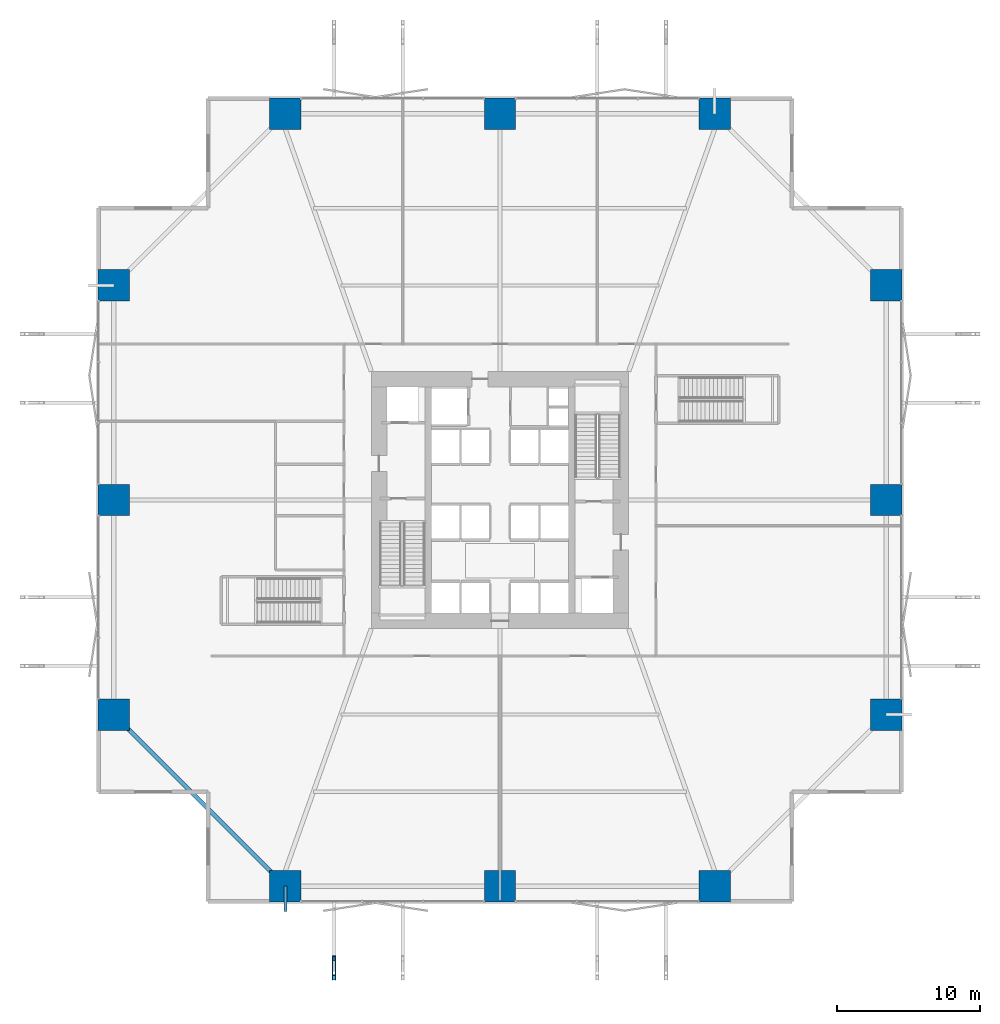
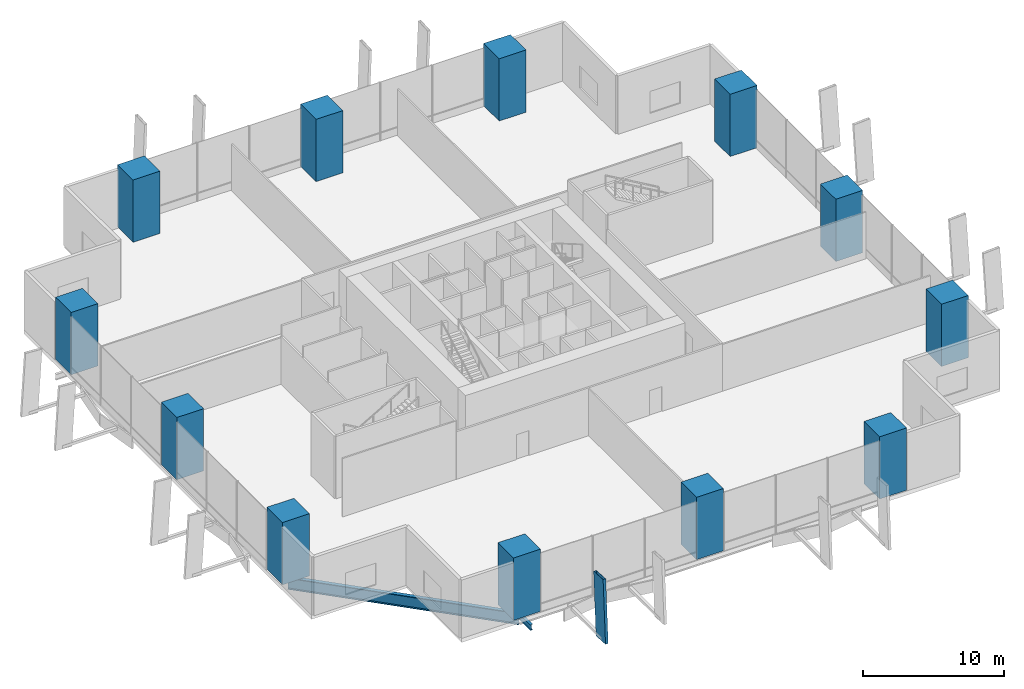
# One storey, part 1 of 24: 12 columns, 2 beams, 1 member.
"""IFC4 building model written with IfcOpenShell, lengths in metres."""

from ifc_helpers import new_model, si_unit, direction, frame, origin, origin_2d, place, context, subcontext, project, spatial, rectangle, hollow_rectangle, i_section, extrude, material, material_profile, profile_set, type_object, element, save


model = new_model("IFC4")

# Units and contexts
model_context = context("Model", 3, precision=1e-05, world=origin(), true_north=direction((0.0, 1.0)))
body_context = subcontext(model_context, "Body", "Model", "MODEL_VIEW")
ifc_project = project(units=[si_unit("LENGTHUNIT", "METRE"), si_unit("AREAUNIT", "SQUARE_METRE"), si_unit("VOLUMEUNIT", "CUBIC_METRE"), si_unit("PLANEANGLEUNIT", "RADIAN"), si_unit("MASSUNIT", "GRAM", prefix="KILO")], contexts=[model_context])

# Site, building, storey
site_placement = place(None, origin())
site = spatial("IfcSite", under=ifc_project, at=site_placement, CompositionType="ELEMENT")
building_placement = place(site_placement, origin())
building = spatial("IfcBuilding", under=site, at=building_placement, Name="Belovzor Exchange Tower", CompositionType="ELEMENT")
storey_placement = place(building_placement, frame((0.0, 0.0, 8.39990234375)))
storey = spatial("IfcBuildingStorey", under=building, at=storey_placement, Name="L02", CompositionType="ELEMENT", Elevation=8.39990234375)

# Columns
ifc_material_1 = material(Name="Concrete C60/75", Category="concrete")
ifc_material_profile_1 = material_profile(ifc_material_1, rectangle(XDim=2.199951171875, YDim=2.199951171875, at=origin_2d()))
ifc_profile_set_1 = profile_set([ifc_material_profile_1], Name="Concrete C60/75")
column_type = type_object("IfcColumnType", Name="Sculpted Mega-Pilotis Composite Column 2200x2200", PredefinedType="PILASTER", material=ifc_profile_set_1)
for number, where, z_axis, x_axis, name in (
    (1, (13.800048828125, 1.800048828125, 0.002197265625), (0.0, 0.0, 1.0), (1.0, 0.0, 0.0), "COL-MP220 Sculpted Mega-Pilotis Composite Column 2200x2200"),
    (2, (28.800048828125, 1.800048828125, 0.002197265625), (0.0, 0.0, 1.0), (1.0, 0.0, 0.0), "COL-MP220 Sculpted Mega-Pilotis Composite Column 2200x2200"),
    (3, (43.800048828125, 1.800048828125, 0.002197265625), (0.0, 0.0, 1.0), (1.0, 0.0, 0.0), "COL-MP220 Sculpted Mega-Pilotis Composite Column 2200x2200"),
    (4, (55.800048828125, 13.800048828125, 0.002197265625), (0.0, 0.0, 1.0), (1.0, 0.0, 0.0), "COL-MP220 Sculpted Mega-Pilotis Composite Column 2200x2200"),
    (5, (55.800048828125, 28.800048828125, 0.002197265625), (0.0, 0.0, 1.0), (1.0, 0.0, 0.0), "COL-MP220 Sculpted Mega-Pilotis Composite Column 2200x2200"),
    (6, (55.800048828125, 43.800048828125, 0.002197265625), (0.0, 0.0, 1.0), (1.0, 0.0, 0.0), "COL-MP220 Sculpted Mega-Pilotis Composite Column 2200x2200"),
    (7, (43.800048828125, 55.800048828125, 0.002197265625), (0.0, 0.0, 1.0), (1.0, 0.0, 0.0), "COL-MP220 Sculpted Mega-Pilotis Composite Column 2200x2200"),
    (8, (28.800048828125, 55.800048828125, 0.002197265625), (0.0, 0.0, 1.0), (1.0, 0.0, 0.0), "COL-MP220 Sculpted Mega-Pilotis Composite Column 2200x2200"),
    (9, (13.800048828125, 55.800048828125, 0.002197265625), (0.0, 0.0, 1.0), (1.0, 0.0, 0.0), "COL-MP220 Sculpted Mega-Pilotis Composite Column 2200x2200"),
    (10, (1.800048828125, 43.800048828125, 0.002197265625), (0.0, 0.0, 1.0), (1.0, 0.0, 0.0), "COL-MP220 Sculpted Mega-Pilotis Composite Column 2200x2200"),
    (11, (1.800048828125, 28.800048828125, 0.002197265625), (0.0, 0.0, 1.0), (1.0, 0.0, 0.0), "COL-MP220 Sculpted Mega-Pilotis Composite Column 2200x2200"),
    (12, (1.800048828125, 13.800048828125, 0.002197265625), (0.0, 0.0, 1.0), (1.0, 0.0, 0.0), "COL-MP220 Sculpted Mega-Pilotis Composite Column 2200x2200"),
):
    element("IfcColumn", number, at=place(storey_placement, frame(where, z_axis=z_axis, x_axis=x_axis)), inside=storey, type_object=column_type, Name=name, PredefinedType="PILASTER", context=body_context, shape_type="SweptSolid", body=[
        extrude(rectangle(XDim=2.199951171875, YDim=2.199951171875, at=origin_2d()), origin(), (0.0, 0.0, 1.0), 5.39599609375),
    ])

# Member
ifc_material_2 = material(Name="Extruded Architectural Terracotta on Steel S355 Carrier", Category="masonry")
ifc_material_profile_2 = material_profile(ifc_material_2, hollow_rectangle(XDim=0.219970703125, YDim=1.35009765625, WallThickness=0.013916015625, at=origin_2d()))
ifc_profile_set_2 = profile_set([ifc_material_profile_2], Name="Extruded Architectural Terracotta on Steel S355 Carrier")
member_type = type_object("IfcMemberType", Name="Base Arc Sweeping Terracotta Pylon Fin 1450", PredefinedType="USERDEFINED", material=ifc_profile_set_2)
member_placement = place(storey_placement, frame((17.199951171875, -4.0810546875, -0.349853515625), z_axis=(0.0, 0.063035616034, 0.998011278048), x_axis=(-1.0, 0.0, 0.0)))
element("IfcMember", 13, at=member_placement, inside=storey, type_object=member_type, Name="FIN-TC145 Terracotta Facade Fin L02 S1", ObjectType="FIN", PredefinedType="USERDEFINED", context=body_context, shape_type="SweptSolid", body=[
    extrude(hollow_rectangle(XDim=0.219970703125, YDim=1.35009765625, WallThickness=0.013916015625, at=origin_2d()), origin(), (0.0, 0.0, 1.0), 5.41064453125),
])

# Beams
ifc_material_3 = material(Name="Steel S355", Category="steel")
ifc_material_profile_3 = material_profile(ifc_material_3, i_section(OverallWidth=0.199951171875, OverallDepth=0.5, WebThickness=0.01025390625, FlangeThickness=0.01611328125, at=origin_2d()))
ifc_profile_set_3 = profile_set([ifc_material_profile_3], Name="Steel S355")
beam_type_1 = type_object("IfcBeamType", Name="Planted Balcony Cantilever Beam IPE 500", PredefinedType="BEAM", material=ifc_profile_set_3)
beam_1_placement = place(storey_placement, frame((13.800048828125, 1.800048828125, -0.599853515625), z_axis=(0.0, -1.0, 0.0), x_axis=(1.0, 0.0, 0.0)))
element("IfcBeam", 14, at=beam_1_placement, inside=storey, type_object=beam_type_1, Name="BC-500 Planted Balcony Cantilever Beam IPE 500", PredefinedType="BEAM", context=body_context, shape_type="SweptSolid", body=[
    extrude(i_section(OverallWidth=0.199951171875, OverallDepth=0.5, WebThickness=0.01025390625, FlangeThickness=0.01611328125, at=origin_2d()), origin(), (0.0, 0.0, 1.0), 1.75),
])
ifc_material_4 = material(Name="Steel S460", Category="steel")
ifc_material_profile_4 = material_profile(ifc_material_4, i_section(OverallWidth=0.300048828125, OverallDepth=1.0, WebThickness=0.02099609375, FlangeThickness=0.0400390625, at=origin_2d()))
ifc_profile_set_4 = profile_set([ifc_material_profile_4], Name="Steel S460")
beam_type_2 = type_object("IfcBeamType", Name="Podium Exchange Hall Ring Girder HEM 1000", PredefinedType="BEAM", material=ifc_profile_set_4)
beam_2_placement = place(storey_placement, frame((1.800048828125, 13.800048828125, -0.849853515625), z_axis=(0.707106781187, -0.707106781187, 0.0), x_axis=(0.707106781187, 0.707106781187, 0.0)))
element("IfcBeam", 15, at=beam_2_placement, inside=storey, type_object=beam_type_2, Name="PG-1 Podium Exchange Hall Ring Girder HEM 1000", PredefinedType="BEAM", context=body_context, shape_type="SweptSolid", body=[
    extrude(i_section(OverallWidth=0.300048828125, OverallDepth=1.0, WebThickness=0.02099609375, FlangeThickness=0.0400390625, at=origin_2d()), origin(), (0.0, 0.0, 1.0), 16.970458984375),
])

save(model, "model.ifc")
